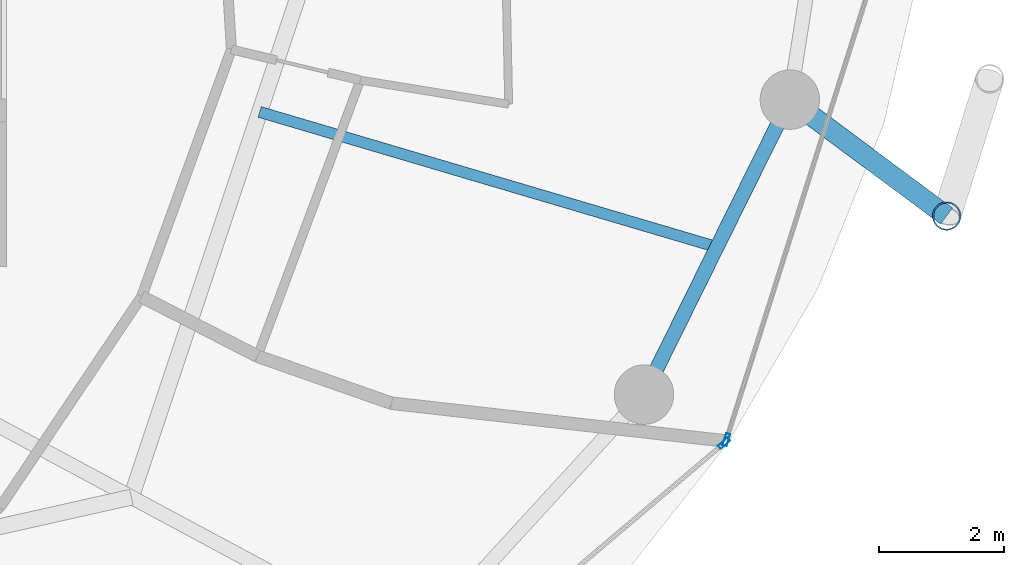
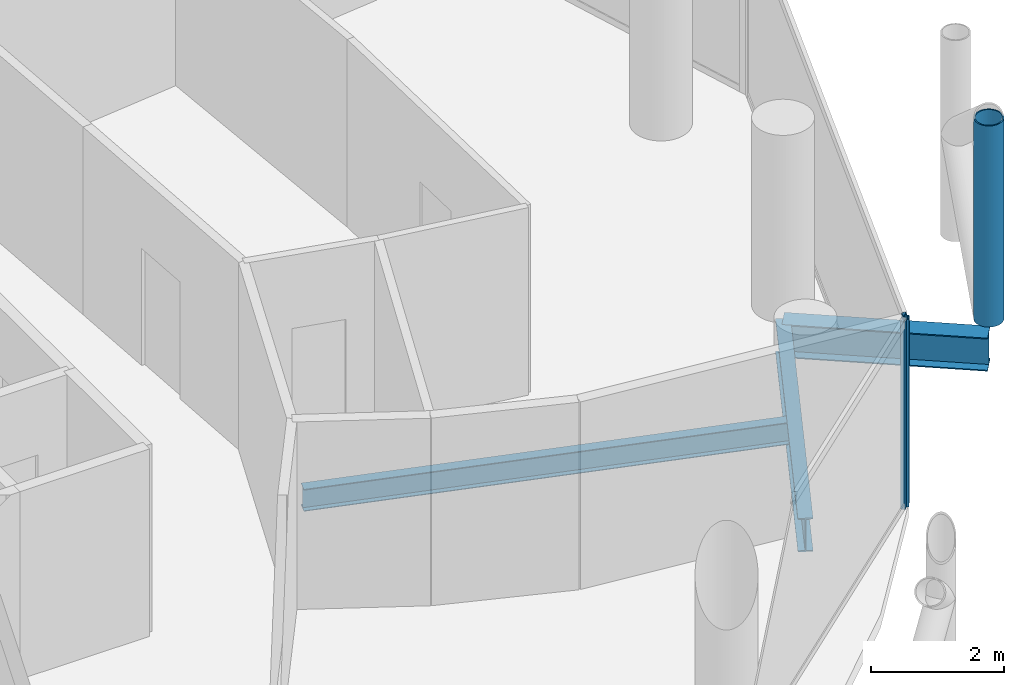
# One storey, part 10 of 26: 3 beams, 3 members, 2 elements without a shape of their own.
"""IFC4 building model written with IfcOpenShell, lengths in metres."""

import ifcopenshell
import ifcopenshell.guid

model = None  # the IFC model being written
_history = None  # IfcOwnerHistory: only IFC2X3 demands one
_inside = {}  # id of a spatial element -> (the spatial element, [elements in it])
_under = {}  # id of a project, library or spatial element -> (it, [spatial elements below it])
_declared = {}  # id of a project -> (the project, [libraries it declares])
_typed = {}  # id of a type object -> (the type object, [elements of that type])
_made_of = {}  # id of a material, layer set ... -> (it, [elements and type objects made of it])


def new_model(schema):
    """Start an empty IFC model of exactly this schema.

    Asked for "IFC4X3", IfcOpenShell would pick the latest addendum, in which some entities
    have other attributes; the version numbers below select the first issue.
    IFC2X3 requires an IfcOwnerHistory on every rooted entity: one is made here for all.
    """
    global model, _history
    if schema == "IFC4X3":
        model = ifcopenshell.file(schema_version=(4, 3, 0, 0))
    else:
        model = ifcopenshell.file(schema=schema)
    _inside.clear()
    _under.clear()
    _declared.clear()
    _typed.clear()
    _made_of.clear()
    _history = None
    if model.schema == "IFC2X3":
        org = make("IfcOrganization", Name="unknown")
        user = make(
            "IfcPersonAndOrganization",
            ThePerson=make("IfcPerson", FamilyName="unknown"),
            TheOrganization=org,
        )
        app = make(
            "IfcApplication",
            ApplicationDeveloper=org,
            Version="unknown",
            ApplicationFullName="unknown",
            ApplicationIdentifier="unknown",
        )
        _history = make(
            "IfcOwnerHistory",
            OwningUser=user,
            OwningApplication=app,
            ChangeAction="ADDED",
            CreationDate=0,
        )
    return model


def make(cls, **values):
    """One entity of the class cls with the attributes given. An attribute that is None is left unset."""
    return model.create_entity(
        cls, **{name: value for name, value in values.items() if value is not None}
    )


def rooted(cls, **values):
    """An entity with a GlobalId (a new one), such as an element, a storey or a relation."""
    return make(cls, GlobalId=ifcopenshell.guid.new(), OwnerHistory=_history, **values)


def si_unit(unit_type, name, prefix=None):
    """IfcSIUnit, for example si_unit("LENGTHUNIT", "METRE", prefix="MILLI")."""
    return make("IfcSIUnit", UnitType=unit_type, Prefix=prefix, Name=name)


def assignment(units):
    """IfcUnitAssignment: the units of a project."""
    return None if units is None else make("IfcUnitAssignment", Units=units)


def point(xyz):
    """IfcCartesianPoint."""
    return None if xyz is None else make("IfcCartesianPoint", Coordinates=xyz)


def direction(xyz):
    """IfcDirection."""
    return None if xyz is None else make("IfcDirection", DirectionRatios=xyz)


def frame(location, z_axis=None, x_axis=None):
    """IfcAxis2Placement3D, a coordinate frame: its origin and axes. An axis left out is left unset."""
    return make(
        "IfcAxis2Placement3D",
        Location=point(location),
        Axis=direction(z_axis),
        RefDirection=direction(x_axis),
    )


def frame_2d(location, x_axis=None):
    """IfcAxis2Placement2D, a coordinate frame in the plane: its origin and x axis."""
    return make(
        "IfcAxis2Placement2D", Location=point(location), RefDirection=direction(x_axis)
    )


def origin():
    """The frame at (0, 0, 0) with its axes left unset."""
    return frame((0.0, 0.0, 0.0))


def origin_2d():
    """The frame at (0, 0) in the plane with its x axis left unset."""
    return frame_2d((0.0, 0.0))


def place(relative_to, where):
    """IfcLocalPlacement: puts the frame where relative to a parent placement (None: the world)."""
    return make(
        "IfcLocalPlacement", PlacementRelTo=relative_to, RelativePlacement=where
    )


def context(
    kind, dimensions, precision=None, world=None, true_north=None, identifier=None
):
    """IfcGeometricRepresentationContext, for example the 3D "Model" context."""
    return make(
        "IfcGeometricRepresentationContext",
        ContextIdentifier=identifier,
        ContextType=kind,
        CoordinateSpaceDimension=dimensions,
        Precision=precision,
        WorldCoordinateSystem=world,
        TrueNorth=true_north,
    )


def subcontext(parent, identifier, kind, view, scale=None):
    """IfcGeometricRepresentationSubContext, for example "Body" below "Model"."""
    return make(
        "IfcGeometricRepresentationSubContext",
        ContextIdentifier=identifier,
        ContextType=kind,
        ParentContext=parent,
        TargetScale=scale,
        TargetView=view,
    )


def project(units=None, contexts=None):
    """IfcProject with its units and contexts."""
    return rooted(
        "IfcProject",
        Name="project",
        RepresentationContexts=contexts,
        UnitsInContext=assignment(units),
    )


def spatial(cls, under=None, at=None, **own):
    """A site, building, storey or space (cls), placed at a placement, below another one or the project."""
    s = rooted(cls, ObjectPlacement=at, **own)
    if under is not None:
        _under.setdefault(under.id(), (under, []))[1].append(s)
    return s


def profile(cls, at=None, kind="AREA", **sizes):
    """A parametric profile (cls). Its sizes go by their IFC names, for example OverallWidth=200.0."""
    return make(cls, ProfileType=kind, Position=at, **sizes)


def hollow_rectangle(**sizes):
    """IfcRectangleHollowProfileDef."""
    return profile("IfcRectangleHollowProfileDef", **sizes)


def hollow_circle(**sizes):
    """IfcCircleHollowProfileDef."""
    return profile("IfcCircleHollowProfileDef", **sizes)


def i_section(**sizes):
    """IfcIShapeProfileDef."""
    return profile("IfcIShapeProfileDef", **sizes)


def extrude(swept, where, along, depth):
    """IfcExtrudedAreaSolid: the profile swept, set in the frame where, extruded along a direction by depth."""
    return make(
        "IfcExtrudedAreaSolid",
        SweptArea=swept,
        Position=where,
        ExtrudedDirection=direction(along),
        Depth=depth,
    )


def shape(context_of_items, identifier, shape_type, items):
    """IfcShapeRepresentation: the items that make up one representation, for example the "Body"."""
    return make(
        "IfcShapeRepresentation",
        ContextOfItems=context_of_items,
        RepresentationIdentifier=identifier,
        RepresentationType=shape_type,
        Items=items,
    )


def material(Name=None, Category=None):
    """IfcMaterial."""
    return make("IfcMaterial", Name=Name, Category=Category)


def layer(
    of_material, thickness, ventilated=None, Name=None, Category=None, Priority=None
):
    """IfcMaterialLayer: one layer of a wall or slab, of a material (None: an air gap)."""
    return make(
        "IfcMaterialLayer",
        Material=of_material,
        LayerThickness=thickness,
        IsVentilated=ventilated,
        Name=Name,
        Category=Category,
        Priority=Priority,
    )


def layer_set(layers, Name=None):
    """IfcMaterialLayerSet."""
    return make("IfcMaterialLayerSet", MaterialLayers=layers, LayerSetName=Name)


def material_profile(
    of_material, cross_section, Name=None, Category=None, Priority=None
):
    """IfcMaterialProfile: a cross section and its material."""
    return make(
        "IfcMaterialProfile",
        Name=Name,
        Material=of_material,
        Profile=cross_section,
        Priority=Priority,
        Category=Category,
    )


def profile_set(profiles, Name=None, composite=None):
    """IfcMaterialProfileSet."""
    return make(
        "IfcMaterialProfileSet",
        Name=Name,
        MaterialProfiles=profiles,
        CompositeProfile=composite,
    )


def made_of(thing, what):
    """Note that an element or type object is made of a material, layer set ...; save() writes the relation."""
    if what is not None:
        _made_of.setdefault(what.id(), (what, []))[1].append(thing)
    return thing


def type_object(cls, material=None, **own):
    """A type object (cls), such as IfcWallType, which elements share."""
    return made_of(rooted(cls, **own), material)


def element(
    cls,
    number,
    at=None,
    inside=None,
    cuts=None,
    type_object=None,
    material=None,
    context=None,
    identifier="Body",
    shape_type=None,
    held_by="IfcProductDefinitionShape",
    body=None,
    shapes=None,
    **own,
):
    """One element of the class cls, such as IfcWall. Its Tag is "e" and its number.

    at: its placement. inside: the storey or other place that contains it. cuts: it is an
    opening in that element (IfcRelVoidsElement). A single representation is given by context,
    identifier, shape_type and body (its items); several are given by shapes. held_by: the class
    of the entity that holds the representations. save() writes the other relations.
    """
    e = rooted(cls, Tag="e%d" % number, ObjectPlacement=at, **own)
    if body is not None:
        shapes = [shape(context, identifier, shape_type, body)]
    if shapes is not None:
        e.Representation = make(held_by, Representations=shapes)
    if inside is not None:
        _inside.setdefault(inside.id(), (inside, []))[1].append(e)
    if cuts is not None:
        rooted(
            "IfcRelVoidsElement", RelatingBuildingElement=cuts, RelatedOpeningElement=e
        )
    if type_object is not None:
        _typed.setdefault(type_object.id(), (type_object, []))[1].append(e)
    return made_of(e, material)


def aggregate(whole, parts):
    """IfcRelAggregates: a whole, such as a stair, and the parts it consists of."""
    return rooted("IfcRelAggregates", RelatingObject=whole, RelatedObjects=parts)


def save(model, path):
    """Write the relations noted so far, then the file.

    IfcRelAggregates (storeys below a building ...), IfcRelContainedInSpatialStructure (elements
    in a storey), IfcRelDefinesByType, IfcRelAssociatesMaterial and IfcRelDeclares: one each for
    every whole, place, type object, material and project.
    """
    for whole, parts in _under.values():
        aggregate(whole, parts)
    for where, things in _inside.values():
        rooted(
            "IfcRelContainedInSpatialStructure",
            RelatedElements=things,
            RelatingStructure=where,
        )
    for kind, things in _typed.values():
        rooted("IfcRelDefinesByType", RelatedObjects=things, RelatingType=kind)
    for what, things in _made_of.values():
        rooted("IfcRelAssociatesMaterial", RelatedObjects=things, RelatingMaterial=what)
    for by, libraries in _declared.values():
        rooted("IfcRelDeclares", RelatingContext=by, RelatedDefinitions=libraries)
    model.write(path)


model = new_model("IFC4")

# Units and contexts
model_context = context("Model", 3, precision=1e-05, world=origin(), true_north=direction((0.0, 1.0)))
body_context = subcontext(model_context, "Body", "Model", "MODEL_VIEW")
ifc_project = project(units=[si_unit("LENGTHUNIT", "METRE"), si_unit("AREAUNIT", "SQUARE_METRE"), si_unit("VOLUMEUNIT", "CUBIC_METRE"), si_unit("PLANEANGLEUNIT", "RADIAN"), si_unit("MASSUNIT", "GRAM", prefix="KILO")], contexts=[model_context])

# Site, building, storey
site_placement = place(None, origin())
site = spatial("IfcSite", under=ifc_project, at=site_placement, CompositionType="ELEMENT")
building_placement = place(site_placement, origin())
building = spatial("IfcBuilding", under=site, at=building_placement, Name="Nuhasar Tower", CompositionType="ELEMENT")
storey_placement = place(building_placement, frame((0.0, 0.0, 133.050048828125)))
storey = spatial("IfcBuildingStorey", under=building, at=storey_placement, Name="L31", CompositionType="ELEMENT", Elevation=133.050048828125)

# Beams
ifc_material_1 = material(Name="Steel S355", Category="steel")
ifc_material_profile_1 = material_profile(ifc_material_1, i_section(OverallWidth=0.177978515625, OverallDepth=0.406005859375, WebThickness=0.0078125, FlangeThickness=0.0126953125, at=origin_2d()), Name="W16X40")
ifc_profile_set_1 = profile_set([ifc_material_profile_1], Name="Steel S355")
beam_type_1 = type_object("IfcBeamType", Name="BM-JST-W16X40", PredefinedType="JOIST", material=ifc_profile_set_1)
beam_1_placement = place(storey_placement, frame((53.0791015625, 21.54296875, -0.453125), z_axis=(0.959000494697, -0.283404395116, 0.0), x_axis=(0.283404395116, 0.959000494697, 0.0)))
element("IfcBeam", 1, at=beam_1_placement, inside=storey, type_object=beam_type_1, Name="L31 Secondary Floor Joist 03", PredefinedType="JOIST", context=body_context, shape_type="SweptSolid", body=[
    extrude(i_section(OverallWidth=0.177978515625, OverallDepth=0.406005859375, WebThickness=0.0078125, FlangeThickness=0.0126953125, at=origin_2d()), origin(), (0.0, 0.0, 1.0), 7.621337890625),
])
ifc_material_profile_2 = material_profile(ifc_material_1, i_section(OverallWidth=0.22998046875, OverallDepth=0.616943359375, WebThickness=0.01318359375, FlangeThickness=0.022216796875, at=origin_2d()), Name="W24X94")
ifc_profile_set_2 = profile_set([ifc_material_profile_2], Name="Steel S355")
beam_type_2 = type_object("IfcBeamType", Name="BM-RING-W24X94", PredefinedType="SPANDREL", material=ifc_profile_set_2)
beam_2_placement = place(storey_placement, frame((59.221923828125, 17.02490234375, -0.55810546875), z_axis=(0.443329327657, 0.896358804966, 0.0), x_axis=(-0.896358804966, 0.443329327657, 0.0)))
element("IfcBeam", 2, at=beam_2_placement, inside=storey, type_object=beam_type_2, Name="L31 Perimeter Ring Spandrel 23", PredefinedType="SPANDREL", context=body_context, shape_type="SweptSolid", body=[
    extrude(i_section(OverallWidth=0.22998046875, OverallDepth=0.616943359375, WebThickness=0.01318359375, FlangeThickness=0.022216796875, at=origin_2d()), origin(), (0.0, 0.0, 1.0), 5.26025390625),
])
ifc_material_profile_3 = material_profile(ifc_material_1, i_section(OverallWidth=0.323974609375, OverallDepth=0.611083984375, WebThickness=0.0126953125, FlangeThickness=0.01904296875, at=origin_2d()), Name="W24X104")
ifc_profile_set_3 = profile_set([ifc_material_profile_3], Name="Steel S355")
beam_type_3 = type_object("IfcBeamType", Name="BM-TIE-W24X104", PredefinedType="BEAM", material=ifc_profile_set_3)
beam_3_placement = place(storey_placement, frame((61.553955078125, 21.739990234375, -0.554931640625), z_axis=(0.80283476238, -0.596201597041, 0.0), x_axis=(0.596201597041, 0.80283476238, 0.0)))
element("IfcBeam", 3, at=beam_3_placement, inside=storey, type_object=beam_type_3, Name="L31 Exoskeleton Node Tie Beam 12", PredefinedType="BEAM", context=body_context, shape_type="SweptSolid", body=[
    extrude(i_section(OverallWidth=0.323974609375, OverallDepth=0.611083984375, WebThickness=0.0126953125, FlangeThickness=0.01904296875, at=origin_2d()), origin(), (0.0, 0.0, 1.0), 3.12158203125),
])

# Curtain wall, member
ifc_material_2 = material(Name="Aluminium 6063-T6", Category="aluminium")
ifc_layer = layer(ifc_material_2, 0.199951171875)
ifc_layer_set = layer_set([ifc_layer], Name="Aluminium 6063-T6")
curtain_wall_type = type_object("IfcCurtainWallType", Name="CW-Z2-HTL", PredefinedType="NOTDEFINED", material=ifc_layer_set)
curtain_wall_1_placement = place(storey_placement, origin())
curtain_wall_1 = element("IfcCurtainWall", 4, at=curtain_wall_1_placement, inside=storey, type_object=curtain_wall_type, Name="L31 Unitised Curtain Wall 11", PredefinedType="NOTDEFINED")
ifc_material_profile_4 = material_profile(ifc_material_2, hollow_rectangle(XDim=0.070068359375, YDim=0.199951171875, WallThickness=0.0048828125, at=origin_2d()), Name="CWM-3")
ifc_profile_set_4 = profile_set([ifc_material_profile_4], Name="Aluminium 6063-T6")
member_type_1 = type_object("IfcMemberType", Name="CW-MUL-S3", PredefinedType="MULLION", material=ifc_profile_set_4)
member_1_placement = place(storey_placement, frame((60.502197265625, 16.247314453125, 0.0), z_axis=(0.0, 0.0, 1.0), x_axis=(-0.646374438324, 0.763020370292, 0.0)))
member_1 = element("IfcMember", 5, at=member_1_placement, type_object=member_type_1, Name="CW-Z2 mullion 2", PredefinedType="MULLION", context=body_context, shape_type="SweptSolid", body=[
    extrude(hollow_rectangle(XDim=0.070068359375, YDim=0.199951171875, WallThickness=0.0048828125, at=origin_2d()), origin(), (0.0, 0.0, 1.0), 3.449951171875),
])
aggregate(curtain_wall_1, [member_1])

curtain_wall_2_placement = place(storey_placement, origin())
curtain_wall_2 = element("IfcCurtainWall", 6, at=curtain_wall_2_placement, inside=storey, type_object=curtain_wall_type, Name="L31 Unitised Curtain Wall 12", PredefinedType="NOTDEFINED")
member_2_placement = place(storey_placement, frame((60.53955078125, 16.303466796875, 0.0), z_axis=(0.0, 0.0, 1.0), x_axis=(-0.953433389233, 0.301603667577, 0.0)))
member_2 = element("IfcMember", 7, at=member_2_placement, type_object=member_type_1, Name="CW-Z2 mullion 1", PredefinedType="MULLION", context=body_context, shape_type="SweptSolid", body=[
    extrude(hollow_rectangle(XDim=0.070068359375, YDim=0.199951171875, WallThickness=0.0048828125, at=origin_2d()), origin(), (0.0, 0.0, 1.0), 3.449951171875),
])
aggregate(curtain_wall_2, [member_2])

# Member
ifc_material_3 = material(Name="Steel S460", Category="steel")
ifc_material_profile_5 = material_profile(ifc_material_3, hollow_circle(Radius=0.228515625, WallThickness=0.022216796875, at=origin_2d()), Name="HSS457X22.2")
ifc_profile_set_5 = profile_set([ifc_material_profile_5], Name="Steel S460")
member_type_2 = type_object("IfcMemberType", Name="EXO-BRONZE-457", PredefinedType="BRACE", material=ifc_profile_set_5)
member_3_placement = place(storey_placement, frame((64.06005859375, 19.87890625, 0.0), z_axis=(0.0, 0.0, 1.0), x_axis=(1.0, 0.0, 0.0)))
element("IfcMember", 8, at=member_3_placement, inside=storey, type_object=member_type_2, Name="L31 Exoskeleton Chord Column EC-12A", PredefinedType="BRACE", context=body_context, shape_type="SweptSolid", body=[
    extrude(hollow_circle(Radius=0.228515625, WallThickness=0.022216796875, at=origin_2d()), origin(), (0.0, 0.0, 1.0), 3.699951171875),
])

save(model, "model.ifc")
